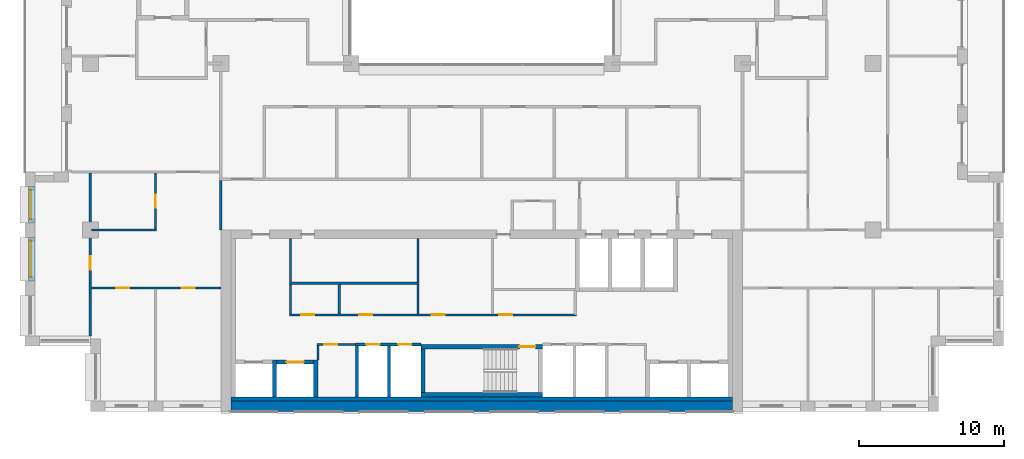
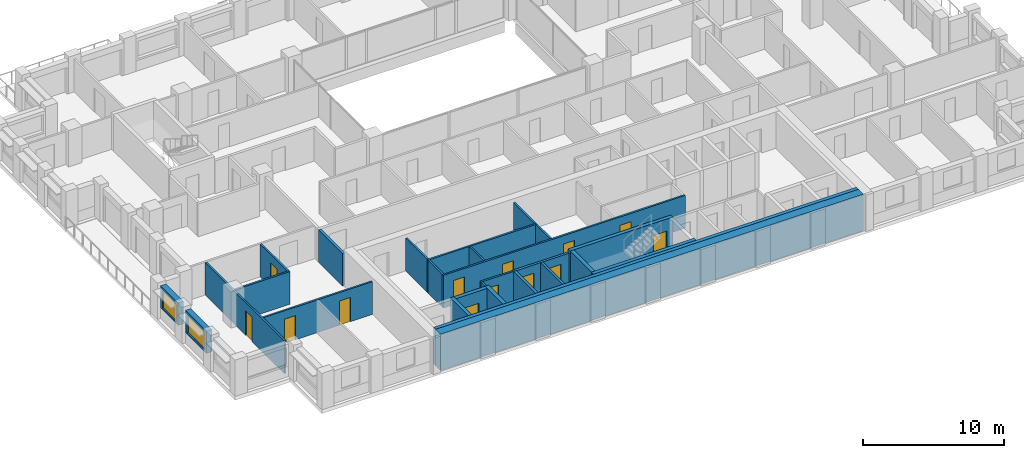
# One storey, part 8 of 15: 27 walls, 13 doors, 2 windows, 15 openings.
"""IFC4 building model written with IfcOpenShell, lengths in metres."""

from ifc_helpers import new_model, si_unit, direction, frame, frame_2d, origin, place, context, subcontext, project, spatial, rectangle, extrude, material, layer, layer_set, type_object, element, fill, save


model = new_model("IFC4")

# Units and contexts
model_context = context("Model", 3, precision=1e-05, world=origin(), true_north=direction((0.0, 1.0)))
body_context = subcontext(model_context, "Body", "Model", "MODEL_VIEW")
ifc_project = project(units=[si_unit("LENGTHUNIT", "METRE"), si_unit("AREAUNIT", "SQUARE_METRE"), si_unit("VOLUMEUNIT", "CUBIC_METRE"), si_unit("PLANEANGLEUNIT", "RADIAN"), si_unit("MASSUNIT", "GRAM", prefix="KILO")], contexts=[model_context])

# Site, building, storey
site_placement = place(None, origin())
site = spatial("IfcSite", under=ifc_project, at=site_placement, CompositionType="ELEMENT")
building_placement = place(site_placement, origin())
building = spatial("IfcBuilding", under=site, at=building_placement, Name="Brigalow Station Residences", CompositionType="ELEMENT")
storey_placement = place(building_placement, frame((0.0, 0.0, 153.89990234375)))
storey = spatial("IfcBuildingStorey", under=building, at=storey_placement, Name="L44", CompositionType="ELEMENT", Elevation=153.89990234375)

# Wall, opening, window
ifc_material_1 = material(Name="Clay brick masonry", Category="masonry")
ifc_layer_1 = layer(ifc_material_1, 0.449951171875)
ifc_layer_set_1 = layer_set([ifc_layer_1], Name="BRICK INFILL WALL 450")
wall_type_1 = type_object("IfcWallType", Name="BRICK INFILL WALL 450", PredefinedType="SOLIDWALL", material=ifc_layer_set_1)
wall_1_placement = place(storey_placement, frame((4.97509765625, 15.5, 0.900146484375), z_axis=(0.0, 0.0, 1.0), x_axis=(0.0, -1.0, 0.0)))
wall_1 = element("IfcWall", 1, at=wall_1_placement, inside=storey, type_object=wall_type_1, Name="L44/ewall/W-L44-45", PredefinedType="SOLIDWALL", context=body_context, shape_type="SweptSolid", body=[
    extrude(rectangle(XDim=2.5, YDim=0.449951171875, at=frame_2d((1.25, 0.0))), origin(), (0.0, 0.0, 1.0), 1.929931640625),
])
opening_1_placement = place(wall_1_placement, frame((0.25, 0.0, 0.14990234375)))
opening_1 = element("IfcOpeningElement", 2, at=opening_1_placement, cuts=wall_1, Name="Opening WT-7", PredefinedType="OPENING", context=body_context, shape_type="SweptSolid", body=[
    extrude(rectangle(XDim=2.0, YDim=1.5, at=frame_2d((1.0, 0.75))), frame((0.0, 0.23486328125, 0.0), z_axis=(0.0, -1.0, 0.0), x_axis=(1.0, 0.0, 0.0)), (0.0, 0.0, 1.0), 0.469970703125),
])
ifc_material_2 = material(Name="Anodised aluminium frame with double glazing", Category="aluminium")
window_type_1 = type_object("IfcWindowType", Name="WINDOW 2000x1500", PartitioningType="SINGLE_PANEL", PredefinedType="WINDOW", material=ifc_material_2)
window_1_placement = place(opening_1_placement, origin())
window_1 = element("IfcWindow", 3, at=window_1_placement, inside=storey, type_object=window_type_1, Name="L44/window/W-L44-45", OverallHeight=1.5, OverallWidth=2.0, PartitioningType="SINGLE_PANEL", PredefinedType="WINDOW", context=body_context, shape_type="SweptSolid", body=[
    extrude(rectangle(XDim=2.0, YDim=1.5, at=frame_2d((1.0, 0.75))), frame((0.0, -0.06494140625, 0.0), z_axis=(0.0, -1.0, 0.0), x_axis=(1.0, 0.0, 0.0)), (0.0, 0.0, 1.0), 0.06005859375),
])
fill(opening_1, window_1)

wall_2_placement = place(storey_placement, frame((4.97509765625, 12.0, 0.900146484375), z_axis=(0.0, 0.0, 1.0), x_axis=(0.0, -1.0, 0.0)))
wall_2 = element("IfcWall", 4, at=wall_2_placement, inside=storey, type_object=wall_type_1, Name="L44/ewall/W-L44-46", PredefinedType="SOLIDWALL", context=body_context, shape_type="SweptSolid", body=[
    extrude(rectangle(XDim=3.0, YDim=0.449951171875, at=frame_2d((1.5, 0.0))), origin(), (0.0, 0.0, 1.0), 1.929931640625),
])
opening_2_placement = place(wall_2_placement, frame((0.25, 0.0, 0.14990234375)))
opening_2 = element("IfcOpeningElement", 5, at=opening_2_placement, cuts=wall_2, Name="Opening WT-5", PredefinedType="OPENING", context=body_context, shape_type="SweptSolid", body=[
    extrude(rectangle(XDim=2.5, YDim=1.5, at=frame_2d((1.25, 0.75))), frame((0.0, 0.23486328125, 0.0), z_axis=(0.0, -1.0, 0.0), x_axis=(1.0, 0.0, 0.0)), (0.0, 0.0, 1.0), 0.469970703125),
])
ifc_material_3 = material(Name="Anodised aluminium frame with double glazing", Category="aluminium")
window_type_2 = type_object("IfcWindowType", Name="WINDOW 2500x1500", PartitioningType="SINGLE_PANEL", PredefinedType="WINDOW", material=ifc_material_3)
window_2_placement = place(opening_2_placement, origin())
window_2 = element("IfcWindow", 6, at=window_2_placement, inside=storey, type_object=window_type_2, Name="L44/window/W-L44-46", OverallHeight=1.5, OverallWidth=2.5, PartitioningType="SINGLE_PANEL", PredefinedType="WINDOW", context=body_context, shape_type="SweptSolid", body=[
    extrude(rectangle(XDim=2.5, YDim=1.5, at=frame_2d((1.25, 0.75))), frame((0.0, -0.06494140625, 0.0), z_axis=(0.0, -1.0, 0.0), x_axis=(1.0, 0.0, 0.0)), (0.0, 0.0, 1.0), 0.06005859375),
])
fill(opening_2, window_2)

# Wall
ifc_material_4 = material(Name="Concrete C65", Category="concrete")
ifc_layer_2 = layer(ifc_material_4, 0.300048828125)
ifc_layer_set_2 = layer_set([ifc_layer_2], Name="CORE SHEAR WALL 300 C65")
wall_type_2 = type_object("IfcWallType", Name="CORE SHEAR WALL 300 C65", PredefinedType="SHEAR", material=ifc_layer_set_2)
wall_3_placement = place(storey_placement, frame((18.699951171875, 0.85009765625, 0.0), z_axis=(0.0, 0.0, 1.0), x_axis=(1.0, 0.0, 0.0)))
element("IfcWall", 7, at=wall_3_placement, inside=storey, type_object=wall_type_2, Name="CORE WALL LIN-S L44", PredefinedType="SHEAR", context=body_context, shape_type="SweptSolid", body=[
    extrude(rectangle(XDim=34.60009765625, YDim=0.300048828125, at=frame_2d((17.300048828125, 0.0))), origin(), (0.0, 0.0, 1.0), 3.150146484375),
])

# Wall, opening, door
wall_4_placement = place(storey_placement, frame((21.85009765625, 3.39990234375, 0.0), z_axis=(0.0, 0.0, 1.0), x_axis=(1.0, 0.0, 0.0)))
wall_4 = element("IfcWall", 8, at=wall_4_placement, inside=storey, type_object=wall_type_2, Name="CORE WALL SH-C2-N L44", PredefinedType="SHEAR", context=body_context, shape_type="SweptSolid", body=[
    extrude(rectangle(XDim=2.5498046875, YDim=0.300048828125, at=frame_2d((1.27490234375, 0.0))), origin(), (0.0, 0.0, 1.0), 3.150146484375),
])
opening_3_placement = place(wall_4_placement, frame((0.675048828125, 0.0, 0.0)))
opening_3 = element("IfcOpeningElement", 9, at=opening_3_placement, cuts=wall_4, Name="Opening LD-LB2", PredefinedType="OPENING", context=body_context, shape_type="SweptSolid", body=[
    extrude(rectangle(XDim=1.199951171875, YDim=2.10009765625, at=frame_2d((0.60009765625, 1.050048828125))), frame((0.0, 0.16015625, 0.0), z_axis=(0.0, -1.0, 0.0), x_axis=(1.0, 0.0, 0.0)), (0.0, 0.0, 1.0), 0.320068359375),
])
ifc_material_5 = material(Name="Stainless steel sliding door leaves", Category="steel")
door_type_1 = type_object("IfcDoorType", Name="LIFT LANDING DOOR 1200 x 2100", OperationType="DOUBLE_DOOR_SLIDING", PredefinedType="DOOR", material=ifc_material_5)
door_1_placement = place(opening_3_placement, origin())
door_1 = element("IfcDoor", 10, at=door_1_placement, inside=storey, type_object=door_type_1, Name="LANDING DOOR LB2", OperationType="DOUBLE_DOOR_SLIDING", OverallHeight=2.10009765625, OverallWidth=1.199951171875, PredefinedType="DOOR", context=body_context, shape_type="SweptSolid", body=[
    extrude(rectangle(XDim=1.199951171875, YDim=2.10009765625, at=frame_2d((0.60009765625, 1.050048828125))), frame((0.0, 0.02490234375, 0.0), z_axis=(0.0, -1.0, 0.0), x_axis=(1.0, 0.0, 0.0)), (0.0, 0.0, 1.0), 0.050048828125),
])
fill(opening_3, door_1)

# Walls
for number, where, z_axis, x_axis, name in (
    (11, (21.699951171875, 1.0, 0.0), (0.0, 0.0, 1.0), (0.0, 1.0, 0.0), "CORE WALL SH-C2-W L44"),
    (12, (24.550048828125, 1.0, 0.0), (0.0, 0.0, 1.0), (0.0, 1.0, 0.0), "CORE WALL SH-C2-E L44"),
):
    element("IfcWall", number, at=place(storey_placement, frame(where, z_axis=z_axis, x_axis=x_axis)), inside=storey, type_object=wall_type_2, Name=name, PredefinedType="SHEAR", context=body_context, shape_type="SweptSolid", body=[
        extrude(rectangle(XDim=2.550048828125, YDim=0.300048828125, at=frame_2d((1.27490234375, 0.0))), origin(), (0.0, 0.0, 1.0), 3.150146484375),
    ])
wall_5_placement = place(storey_placement, frame((31.800048828125, 1.14990234375, 0.0), z_axis=(0.0, 0.0, 1.0), x_axis=(1.0, 0.0, 0.0)))
element("IfcWall", 13, at=wall_5_placement, inside=storey, type_object=wall_type_2, Name="CORE WALL ST-S2-S L44", PredefinedType="SHEAR", context=body_context, shape_type="SweptSolid", body=[
    extrude(rectangle(XDim=8.39990234375, YDim=0.300048828125, at=frame_2d((4.199951171875, 0.0))), origin(), (0.0, 0.0, 1.0), 3.150146484375),
])

# Wall, opening, door
wall_6_placement = place(storey_placement, frame((31.800048828125, 4.449951171875, 0.0), z_axis=(0.0, 0.0, 1.0), x_axis=(1.0, 0.0, 0.0)))
wall_6 = element("IfcWall", 14, at=wall_6_placement, inside=storey, type_object=wall_type_2, Name="CORE WALL ST-S2-N L44", PredefinedType="SHEAR", context=body_context, shape_type="SweptSolid", body=[
    extrude(rectangle(XDim=8.39990234375, YDim=0.300048828125, at=frame_2d((4.199951171875, 0.0))), origin(), (0.0, 0.0, 1.0), 3.150146484375),
])
opening_4_placement = place(wall_6_placement, frame((6.800048828125, 0.0, 0.0)))
opening_4 = element("IfcOpeningElement", 15, at=opening_4_placement, cuts=wall_6, Name="Opening D-5001", PredefinedType="OPENING", context=body_context, shape_type="SweptSolid", body=[
    extrude(rectangle(XDim=1.10009765625, YDim=2.10009765625, at=frame_2d((0.550048828125, 1.050048828125))), frame((0.0, 0.16015625, 0.0), z_axis=(0.0, -1.0, 0.0), x_axis=(1.0, 0.0, 0.0)), (0.0, 0.0, 1.0), 0.320068359375),
])
ifc_material_6 = material(Name="Steel fire door leaf in steel frame", Category="steel")
door_type_2 = type_object("IfcDoorType", Name="STAIR DOOR 1100 x 2100 FD60S", OperationType="SINGLE_SWING_LEFT", PredefinedType="DOOR", material=ifc_material_6)
door_2_placement = place(opening_4_placement, frame((1.10009765625, 0.0, 0.0), z_axis=(0.0, 0.0, 1.0), x_axis=(-1.0, 0.0, 0.0)))
door_2 = element("IfcDoor", 16, at=door_2_placement, inside=storey, type_object=door_type_2, Name="D-5001", OperationType="SINGLE_SWING_LEFT", OverallHeight=2.10009765625, OverallWidth=1.10009765625, PredefinedType="DOOR", context=body_context, shape_type="SweptSolid", body=[
    extrude(rectangle(XDim=1.10009765625, YDim=2.10009765625, at=frame_2d((0.550048828125, 1.050048828125))), frame((0.0, 0.02490234375, 0.0), z_axis=(0.0, -1.0, 0.0), x_axis=(1.0, 0.0, 0.0)), (0.0, 0.0, 1.0), 0.050048828125),
])
fill(opening_4, door_2)

# Walls
wall_7_placement = place(storey_placement, frame((31.949951171875, 1.300048828125, 0.0), z_axis=(0.0, 0.0, 1.0), x_axis=(0.0, 1.0, 0.0)))
element("IfcWall", 17, at=wall_7_placement, inside=storey, type_object=wall_type_2, Name="CORE WALL ST-S2-W L44", PredefinedType="SHEAR", context=body_context, shape_type="SweptSolid", body=[
    extrude(rectangle(XDim=3.0, YDim=0.300048828125, at=frame_2d((1.5, 0.0))), origin(), (0.0, 0.0, 1.0), 3.150146484375),
])
ifc_material_7 = material(Name="Concrete C65", Category="concrete")
ifc_layer_3 = layer(ifc_material_7, 0.699951171875)
ifc_layer_set_3 = layer_set([ifc_layer_3], Name="CORE SHEAR WALL 700 C65")
wall_type_3 = type_object("IfcWallType", Name="CORE SHEAR WALL 700 C65", PredefinedType="SHEAR", material=ifc_layer_set_3)
wall_8_placement = place(storey_placement, frame((18.699951171875, 0.35009765625, 0.0), z_axis=(0.0, 0.0, 1.0), x_axis=(1.0, 0.0, 0.0)))
element("IfcWall", 18, at=wall_8_placement, inside=storey, type_object=wall_type_3, Name="CORE WALL OUT-S L44", PredefinedType="SHEAR", context=body_context, shape_type="SweptSolid", body=[
    extrude(rectangle(XDim=34.60009765625, YDim=0.699951171875, at=frame_2d((17.300048828125, 0.0))), origin(), (0.0, 0.0, 1.0), 3.150146484375),
])

# Wall, openings, doors
ifc_material_8 = material(Name="Concrete blockwork", Category="masonry")
ifc_layer_4 = layer(ifc_material_8, 0.199951171875)
ifc_layer_set_4 = layer_set([ifc_layer_4], Name="FIRE RATED CORE PARTITION 200")
wall_type_4 = type_object("IfcWallType", Name="FIRE RATED CORE PARTITION 200", PredefinedType="PARTITIONING", material=ifc_layer_set_4)
wall_9_placement = place(storey_placement, frame((27.300048828125, 4.60009765625, 0.0), z_axis=(0.0, 0.0, 1.0), x_axis=(1.0, 0.0, 0.0)))
wall_9 = element("IfcWall", 19, at=wall_9_placement, inside=storey, type_object=wall_type_4, Name="PW-5017", PredefinedType="PARTITIONING", context=body_context, shape_type="SweptSolid", body=[
    extrude(rectangle(XDim=4.5, YDim=0.199951171875, at=frame_2d((2.25, 0.0))), origin(), (0.0, 0.0, 1.0), 2.830078125),
])
opening_5_placement = place(wall_9_placement, frame((0.75, 0.0, 0.0)))
opening_5 = element("IfcOpeningElement", 20, at=opening_5_placement, cuts=wall_9, Name="Opening D-5007", PredefinedType="OPENING", context=body_context, shape_type="SweptSolid", body=[
    extrude(rectangle(XDim=0.89990234375, YDim=2.10009765625, at=frame_2d((0.449951171875, 1.050048828125))), frame((0.0, 0.10986328125, 0.0), z_axis=(0.0, -1.0, 0.0), x_axis=(1.0, 0.0, 0.0)), (0.0, 0.0, 1.0), 0.219970703125),
])
opening_6_placement = place(wall_9_placement, frame((2.949951171875, 0.0, 0.0)))
opening_6 = element("IfcOpeningElement", 21, at=opening_6_placement, cuts=wall_9, Name="Opening D-5008", PredefinedType="OPENING", context=body_context, shape_type="SweptSolid", body=[
    extrude(rectangle(XDim=0.89990234375, YDim=2.10009765625, at=frame_2d((0.449951171875, 1.050048828125))), frame((0.0, 0.10986328125, 0.0), z_axis=(0.0, -1.0, 0.0), x_axis=(1.0, 0.0, 0.0)), (0.0, 0.0, 1.0), 0.219970703125),
])
ifc_material_9 = material(Name="Steel fire door leaf in steel frame", Category="steel")
door_type_3 = type_object("IfcDoorType", Name="RISER ACCESS DOOR 900 x 2100 FD120", OperationType="SINGLE_SWING_LEFT", PredefinedType="DOOR", material=ifc_material_9)
door_3_placement = place(opening_5_placement, frame((0.89990234375, 0.0, 0.0), z_axis=(0.0, 0.0, 1.0), x_axis=(-1.0, 0.0, 0.0)))
door_3 = element("IfcDoor", 22, at=door_3_placement, inside=storey, type_object=door_type_3, Name="D-5007", OperationType="SINGLE_SWING_RIGHT", OverallHeight=2.10009765625, OverallWidth=0.89990234375, PredefinedType="DOOR", context=body_context, shape_type="SweptSolid", body=[
    extrude(rectangle(XDim=0.89990234375, YDim=2.10009765625, at=frame_2d((0.449951171875, 1.050048828125))), frame((0.0, 0.02490234375, 0.0), z_axis=(0.0, -1.0, 0.0), x_axis=(1.0, 0.0, 0.0)), (0.0, 0.0, 1.0), 0.050048828125),
])
fill(opening_5, door_3)
door_4_placement = place(opening_6_placement, frame((0.89990234375, 0.0, 0.0), z_axis=(0.0, 0.0, 1.0), x_axis=(-1.0, 0.0, 0.0)))
door_4 = element("IfcDoor", 23, at=door_4_placement, inside=storey, type_object=door_type_3, Name="D-5008", OperationType="SINGLE_SWING_RIGHT", OverallHeight=2.10009765625, OverallWidth=0.89990234375, PredefinedType="DOOR", context=body_context, shape_type="SweptSolid", body=[
    extrude(rectangle(XDim=0.89990234375, YDim=2.10009765625, at=frame_2d((0.449951171875, 1.050048828125))), frame((0.0, 0.02490234375, 0.0), z_axis=(0.0, -1.0, 0.0), x_axis=(1.0, 0.0, 0.0)), (0.0, 0.0, 1.0), 0.050048828125),
])
fill(opening_6, door_4)

# Walls
wall_10_placement = place(storey_placement, frame((27.39990234375, 1.0, 0.0), z_axis=(0.0, 0.0, 1.0), x_axis=(0.0, 1.0, 0.0)))
element("IfcWall", 24, at=wall_10_placement, inside=storey, type_object=wall_type_4, Name="PW-5027", PredefinedType="PARTITIONING", context=body_context, shape_type="SweptSolid", body=[
    extrude(rectangle(XDim=3.52490234375, YDim=0.199951171875, at=frame_2d((1.762451171875, 0.0))), origin(), (0.0, 0.0, 1.0), 2.830078125),
])
wall_11_placement = place(storey_placement, frame((29.60009765625, 1.0, 0.0), z_axis=(0.0, 0.0, 1.0), x_axis=(0.0, 1.0, 0.0)))
element("IfcWall", 25, at=wall_11_placement, inside=storey, type_object=wall_type_4, Name="PW-5006", PredefinedType="PARTITIONING", context=body_context, shape_type="SweptSolid", body=[
    extrude(rectangle(XDim=3.5, YDim=0.199951171875, at=frame_2d((1.75, 0.0))), origin(), (0.0, 0.0, 1.0), 2.830078125),
])
wall_12_placement = place(storey_placement, frame((18.0, 12.5, 0.0), z_axis=(0.0, 0.0, 1.0), x_axis=(0.0, 1.0, 0.0)))
element("IfcWall", 26, at=wall_12_placement, inside=storey, type_object=wall_type_4, Name="PW-5013", PredefinedType="PARTITIONING", context=body_context, shape_type="SweptSolid", body=[
    extrude(rectangle(XDim=3.39990234375, YDim=0.199951171875, at=frame_2d((1.699951171875, 0.0))), origin(), (0.0, 0.0, 1.0), 2.830078125),
])

# Wall, openings, doors
ifc_material_10 = material(Name="Plasterboard on steel stud partition", Category="steel")
ifc_layer_5 = layer(ifc_material_10, 0.14990234375)
ifc_layer_set_5 = layer_set([ifc_layer_5], Name="FLAT PARTITION 150")
wall_type_5 = type_object("IfcWallType", Name="FLAT PARTITION 150", PredefinedType="PARTITIONING", material=ifc_layer_set_5)
wall_13_placement = place(storey_placement, frame((9.074951171875, 8.5, 0.0), z_axis=(0.0, 0.0, 1.0), x_axis=(1.0, 0.0, 0.0)))
wall_13 = element("IfcWall", 27, at=wall_13_placement, inside=storey, type_object=wall_type_5, Name="PW-3B21", PredefinedType="PARTITIONING", context=body_context, shape_type="SweptSolid", body=[
    extrude(rectangle(XDim=8.925048828125, YDim=0.14990234375, at=frame_2d((4.46240234375, 0.0))), origin(), (0.0, 0.0, 1.0), 2.830078125),
])
opening_7_placement = place(wall_13_placement, frame((1.72509765625, 0.0, 0.0)))
opening_7 = element("IfcOpeningElement", 28, at=opening_7_placement, cuts=wall_13, Name="Opening D-3B13", PredefinedType="OPENING", context=body_context, shape_type="SweptSolid", body=[
    extrude(rectangle(XDim=0.89990234375, YDim=2.10009765625, at=frame_2d((0.449951171875, 1.050048828125))), frame((0.0, 0.0849609375, 0.0), z_axis=(0.0, -1.0, 0.0), x_axis=(1.0, 0.0, 0.0)), (0.0, 0.0, 1.0), 0.169921875),
])
opening_8_placement = place(wall_13_placement, frame((6.22509765625, 0.0, 0.0)))
opening_8 = element("IfcOpeningElement", 29, at=opening_8_placement, cuts=wall_13, Name="Opening D-3B14", PredefinedType="OPENING", context=body_context, shape_type="SweptSolid", body=[
    extrude(rectangle(XDim=0.89990234375, YDim=2.10009765625, at=frame_2d((0.449951171875, 1.050048828125))), frame((0.0, 0.0849609375, 0.0), z_axis=(0.0, -1.0, 0.0), x_axis=(1.0, 0.0, 0.0)), (0.0, 0.0, 1.0), 0.169921875),
])
ifc_material_11 = material(Name="Solid-core timber door leaf", Category="wood")
door_type_4 = type_object("IfcDoorType", Name="INTERNAL DOOR 900 x 2100", OperationType="SINGLE_SWING_LEFT", PredefinedType="DOOR", material=ifc_material_11)
door_5_placement = place(opening_7_placement, frame((0.89990234375, 0.0, 0.0), z_axis=(0.0, 0.0, 1.0), x_axis=(-1.0, 0.0, 0.0)))
door_5 = element("IfcDoor", 30, at=door_5_placement, inside=storey, type_object=door_type_4, Name="D-3B13", OperationType="SINGLE_SWING_RIGHT", OverallHeight=2.10009765625, OverallWidth=0.89990234375, PredefinedType="DOOR", context=body_context, shape_type="SweptSolid", body=[
    extrude(rectangle(XDim=0.89990234375, YDim=2.10009765625, at=frame_2d((0.449951171875, 1.050048828125))), frame((0.0, 0.02490234375, 0.0), z_axis=(0.0, -1.0, 0.0), x_axis=(1.0, 0.0, 0.0)), (0.0, 0.0, 1.0), 0.050048828125),
])
fill(opening_7, door_5)
door_6_placement = place(opening_8_placement, frame((0.89990234375, 0.0, 0.0), z_axis=(0.0, 0.0, 1.0), x_axis=(-1.0, 0.0, 0.0)))
door_6 = element("IfcDoor", 31, at=door_6_placement, inside=storey, type_object=door_type_4, Name="D-3B14", OperationType="SINGLE_SWING_RIGHT", OverallHeight=2.10009765625, OverallWidth=0.89990234375, PredefinedType="DOOR", context=body_context, shape_type="SweptSolid", body=[
    extrude(rectangle(XDim=0.89990234375, YDim=2.10009765625, at=frame_2d((0.449951171875, 1.050048828125))), frame((0.0, 0.02490234375, 0.0), z_axis=(0.0, -1.0, 0.0), x_axis=(1.0, 0.0, 0.0)), (0.0, 0.0, 1.0), 0.050048828125),
])
fill(opening_8, door_6)

# Wall
wall_14_placement = place(storey_placement, frame((9.074951171875, 12.5, 0.0), z_axis=(0.0, 0.0, 1.0), x_axis=(1.0, 0.0, 0.0)))
element("IfcWall", 32, at=wall_14_placement, inside=storey, type_object=wall_type_5, Name="PW-3B23", PredefinedType="PARTITIONING", context=body_context, shape_type="SweptSolid", body=[
    extrude(rectangle(XDim=4.5, YDim=0.14990234375, at=frame_2d((2.25, 0.0))), origin(), (0.0, 0.0, 1.0), 2.830078125),
])

# Wall, opening, door
wall_15_placement = place(storey_placement, frame((13.5, 12.574951171875, 0.0), z_axis=(0.0, 0.0, 1.0), x_axis=(0.0, 1.0, 0.0)))
wall_15 = element("IfcWall", 33, at=wall_15_placement, inside=storey, type_object=wall_type_5, Name="PW-3B37", PredefinedType="PARTITIONING", context=body_context, shape_type="SweptSolid", body=[
    extrude(rectangle(XDim=3.85009765625, YDim=0.14990234375, at=frame_2d((1.925048828125, 0.0))), origin(), (0.0, 0.0, 1.0), 2.830078125),
])
opening_9_placement = place(wall_15_placement, frame((1.47509765625, 0.0, 0.0)))
opening_9 = element("IfcOpeningElement", 34, at=opening_9_placement, cuts=wall_15, Name="Opening D-3B16", PredefinedType="OPENING", context=body_context, shape_type="SweptSolid", body=[
    extrude(rectangle(XDim=0.89990234375, YDim=2.10009765625, at=frame_2d((0.449951171875, 1.050048828125))), frame((0.0, 0.0849609375, 0.0), z_axis=(0.0, -1.0, 0.0), x_axis=(1.0, 0.0, 0.0)), (0.0, 0.0, 1.0), 0.169921875),
])
door_7_placement = place(opening_9_placement, origin())
door_7 = element("IfcDoor", 35, at=door_7_placement, inside=storey, type_object=door_type_4, Name="D-3B16", OperationType="SINGLE_SWING_LEFT", OverallHeight=2.10009765625, OverallWidth=0.89990234375, PredefinedType="DOOR", context=body_context, shape_type="SweptSolid", body=[
    extrude(rectangle(XDim=0.89990234375, YDim=2.10009765625, at=frame_2d((0.449951171875, 1.050048828125))), frame((0.0, 0.02490234375, 0.0), z_axis=(0.0, -1.0, 0.0), x_axis=(1.0, 0.0, 0.0)), (0.0, 0.0, 1.0), 0.050048828125),
])
fill(opening_9, door_7)

wall_16_placement = place(storey_placement, frame((9.0, 5.199951171875, 0.0), z_axis=(0.0, 0.0, 1.0), x_axis=(0.0, 1.0, 0.0)))
wall_16 = element("IfcWall", 36, at=wall_16_placement, inside=storey, type_object=wall_type_5, Name="PW-3B39", PredefinedType="PARTITIONING", context=body_context, shape_type="SweptSolid", body=[
    extrude(rectangle(XDim=11.22509765625, YDim=0.14990234375, at=frame_2d((5.612548828125, 0.0))), origin(), (0.0, 0.0, 1.0), 2.830078125),
])
opening_10_placement = place(wall_16_placement, frame((4.574951171875, 0.0, 0.0)))
opening_10 = element("IfcOpeningElement", 37, at=opening_10_placement, cuts=wall_16, Name="Opening D-3B15", PredefinedType="OPENING", context=body_context, shape_type="SweptSolid", body=[
    extrude(rectangle(XDim=0.89990234375, YDim=2.10009765625, at=frame_2d((0.449951171875, 1.050048828125))), frame((0.0, 0.0849609375, 0.0), z_axis=(0.0, -1.0, 0.0), x_axis=(1.0, 0.0, 0.0)), (0.0, 0.0, 1.0), 0.169921875),
])
door_8_placement = place(opening_10_placement, origin())
door_8 = element("IfcDoor", 38, at=door_8_placement, inside=storey, type_object=door_type_4, Name="D-3B15", OperationType="SINGLE_SWING_LEFT", OverallHeight=2.10009765625, OverallWidth=0.89990234375, PredefinedType="DOOR", context=body_context, shape_type="SweptSolid", body=[
    extrude(rectangle(XDim=0.89990234375, YDim=2.10009765625, at=frame_2d((0.449951171875, 1.050048828125))), frame((0.0, 0.02490234375, 0.0), z_axis=(0.0, -1.0, 0.0), x_axis=(1.0, 0.0, 0.0)), (0.0, 0.0, 1.0), 0.050048828125),
])
fill(opening_10, door_8)

ifc_material_12 = material(Name="Plasterboard on steel studs", Category="steel")
ifc_layer_6 = layer(ifc_material_12, 0.14990234375)
ifc_layer_set_6 = layer_set([ifc_layer_6], Name="SERVICE ROOM PARTITION 150")
wall_type_6 = type_object("IfcWallType", Name="SERVICE ROOM PARTITION 150", PredefinedType="PARTITIONING", material=ifc_layer_set_6)
wall_17_placement = place(storey_placement, frame((24.625, 4.60009765625, 0.0), z_axis=(0.0, 0.0, 1.0), x_axis=(1.0, 0.0, 0.0)))
wall_17 = element("IfcWall", 39, at=wall_17_placement, inside=storey, type_object=wall_type_6, Name="PW-5155", PredefinedType="PARTITIONING", context=body_context, shape_type="SweptSolid", body=[
    extrude(rectangle(XDim=2.675048828125, YDim=0.14990234375, at=frame_2d((1.33740234375, 0.0))), origin(), (0.0, 0.0, 1.0), 2.830078125),
])
opening_11_placement = place(wall_17_placement, frame((0.52490234375, 0.0, 0.0)))
opening_11 = element("IfcOpeningElement", 40, at=opening_11_placement, cuts=wall_17, Name="Opening D-5087", PredefinedType="OPENING", context=body_context, shape_type="SweptSolid", body=[
    extrude(rectangle(XDim=0.89990234375, YDim=2.10009765625, at=frame_2d((0.449951171875, 1.050048828125))), frame((0.0, 0.0849609375, 0.0), z_axis=(0.0, -1.0, 0.0), x_axis=(1.0, 0.0, 0.0)), (0.0, 0.0, 1.0), 0.169921875),
])
ifc_material_13 = material(Name="Steel door leaf in steel frame", Category="steel")
door_type_5 = type_object("IfcDoorType", Name="SERVICE ROOM DOOR 900 x 2100 FD60", OperationType="SINGLE_SWING_LEFT", PredefinedType="DOOR", material=ifc_material_13)
door_9_placement = place(opening_11_placement, frame((0.89990234375, 0.0, 0.0), z_axis=(0.0, 0.0, 1.0), x_axis=(-1.0, 0.0, 0.0)))
door_9 = element("IfcDoor", 41, at=door_9_placement, inside=storey, type_object=door_type_5, Name="D-5087", OperationType="SINGLE_SWING_RIGHT", OverallHeight=2.10009765625, OverallWidth=0.89990234375, PredefinedType="DOOR", context=body_context, shape_type="SweptSolid", body=[
    extrude(rectangle(XDim=0.89990234375, YDim=2.10009765625, at=frame_2d((0.449951171875, 1.050048828125))), frame((0.0, 0.02490234375, 0.0), z_axis=(0.0, -1.0, 0.0), x_axis=(1.0, 0.0, 0.0)), (0.0, 0.0, 1.0), 0.050048828125),
])
fill(opening_11, door_9)

# Wall, openings, doors
wall_18_placement = place(storey_placement, frame((22.72509765625, 6.64990234375, 0.0), z_axis=(0.0, 0.0, 1.0), x_axis=(1.0, 0.0, 0.0)))
wall_18 = element("IfcWall", 42, at=wall_18_placement, inside=storey, type_object=wall_type_6, Name="PW-5195", PredefinedType="PARTITIONING", context=body_context, shape_type="SweptSolid", body=[
    extrude(rectangle(XDim=19.7998046875, YDim=0.14990234375, at=frame_2d((9.89990234375, 0.0))), origin(), (0.0, 0.0, 1.0), 2.830078125),
])
opening_12_placement = place(wall_18_placement, frame((0.824951171875, 0.0, 0.0)))
opening_12 = element("IfcOpeningElement", 43, at=opening_12_placement, cuts=wall_18, Name="Opening D-5110", PredefinedType="OPENING", context=body_context, shape_type="SweptSolid", body=[
    extrude(rectangle(XDim=0.89990234375, YDim=2.10009765625, at=frame_2d((0.449951171875, 1.050048828125))), frame((0.0, 0.0849609375, 0.0), z_axis=(0.0, -1.0, 0.0), x_axis=(1.0, 0.0, 0.0)), (0.0, 0.0, 1.0), 0.169921875),
])
opening_13_placement = place(wall_18_placement, frame((4.824951171875, 0.0, 0.0)))
opening_13 = element("IfcOpeningElement", 44, at=opening_13_placement, cuts=wall_18, Name="Opening D-5116", PredefinedType="OPENING", context=body_context, shape_type="SweptSolid", body=[
    extrude(rectangle(XDim=0.89990234375, YDim=2.10009765625, at=frame_2d((0.449951171875, 1.050048828125))), frame((0.0, 0.0849609375, 0.0), z_axis=(0.0, -1.0, 0.0), x_axis=(1.0, 0.0, 0.0)), (0.0, 0.0, 1.0), 0.169921875),
])
opening_14_placement = place(wall_18_placement, frame((9.824951171875, 0.0, 0.0)))
opening_14 = element("IfcOpeningElement", 45, at=opening_14_placement, cuts=wall_18, Name="Opening D-5117", PredefinedType="OPENING", context=body_context, shape_type="SweptSolid", body=[
    extrude(rectangle(XDim=0.89990234375, YDim=2.10009765625, at=frame_2d((0.449951171875, 1.050048828125))), frame((0.0, 0.0849609375, 0.0), z_axis=(0.0, -1.0, 0.0), x_axis=(1.0, 0.0, 0.0)), (0.0, 0.0, 1.0), 0.169921875),
])
opening_15_placement = place(wall_18_placement, frame((14.47509765625, 0.0, 0.0)))
opening_15 = element("IfcOpeningElement", 46, at=opening_15_placement, cuts=wall_18, Name="Opening D-5114", PredefinedType="OPENING", context=body_context, shape_type="SweptSolid", body=[
    extrude(rectangle(XDim=0.89990234375, YDim=2.10009765625, at=frame_2d((0.449951171875, 1.050048828125))), frame((0.0, 0.0849609375, 0.0), z_axis=(0.0, -1.0, 0.0), x_axis=(1.0, 0.0, 0.0)), (0.0, 0.0, 1.0), 0.169921875),
])
door_10_placement = place(opening_12_placement, origin())
door_10 = element("IfcDoor", 47, at=door_10_placement, inside=storey, type_object=door_type_5, Name="D-5110", OperationType="SINGLE_SWING_LEFT", OverallHeight=2.10009765625, OverallWidth=0.89990234375, PredefinedType="DOOR", context=body_context, shape_type="SweptSolid", body=[
    extrude(rectangle(XDim=0.89990234375, YDim=2.10009765625, at=frame_2d((0.449951171875, 1.050048828125))), frame((0.0, 0.02490234375, 0.0), z_axis=(0.0, -1.0, 0.0), x_axis=(1.0, 0.0, 0.0)), (0.0, 0.0, 1.0), 0.050048828125),
])
fill(opening_12, door_10)
door_11_placement = place(opening_13_placement, origin())
door_11 = element("IfcDoor", 48, at=door_11_placement, inside=storey, type_object=door_type_5, Name="D-5116", OperationType="SINGLE_SWING_LEFT", OverallHeight=2.10009765625, OverallWidth=0.89990234375, PredefinedType="DOOR", context=body_context, shape_type="SweptSolid", body=[
    extrude(rectangle(XDim=0.89990234375, YDim=2.10009765625, at=frame_2d((0.449951171875, 1.050048828125))), frame((0.0, 0.02490234375, 0.0), z_axis=(0.0, -1.0, 0.0), x_axis=(1.0, 0.0, 0.0)), (0.0, 0.0, 1.0), 0.050048828125),
])
fill(opening_13, door_11)
door_12_placement = place(opening_14_placement, origin())
door_12 = element("IfcDoor", 49, at=door_12_placement, inside=storey, type_object=door_type_5, Name="D-5117", OperationType="SINGLE_SWING_LEFT", OverallHeight=2.10009765625, OverallWidth=0.89990234375, PredefinedType="DOOR", context=body_context, shape_type="SweptSolid", body=[
    extrude(rectangle(XDim=0.89990234375, YDim=2.10009765625, at=frame_2d((0.449951171875, 1.050048828125))), frame((0.0, 0.02490234375, 0.0), z_axis=(0.0, -1.0, 0.0), x_axis=(1.0, 0.0, 0.0)), (0.0, 0.0, 1.0), 0.050048828125),
])
fill(opening_14, door_12)
door_13_placement = place(opening_15_placement, origin())
door_13 = element("IfcDoor", 50, at=door_13_placement, inside=storey, type_object=door_type_5, Name="D-5114", OperationType="SINGLE_SWING_LEFT", OverallHeight=2.10009765625, OverallWidth=0.89990234375, PredefinedType="DOOR", context=body_context, shape_type="SweptSolid", body=[
    extrude(rectangle(XDim=0.89990234375, YDim=2.10009765625, at=frame_2d((0.449951171875, 1.050048828125))), frame((0.0, 0.02490234375, 0.0), z_axis=(0.0, -1.0, 0.0), x_axis=(1.0, 0.0, 0.0)), (0.0, 0.0, 1.0), 0.050048828125),
])
fill(opening_15, door_13)

# Walls
wall_19_placement = place(storey_placement, frame((22.72509765625, 8.830078125, 0.0), z_axis=(0.0, 0.0, 1.0), x_axis=(1.0, 0.0, 0.0)))
element("IfcWall", 51, at=wall_19_placement, inside=storey, type_object=wall_type_6, Name="PW-5205", PredefinedType="PARTITIONING", context=body_context, shape_type="SweptSolid", body=[
    extrude(rectangle(XDim=8.9599609375, YDim=0.14990234375, at=frame_2d((4.47998046875, 0.0))), origin(), (0.0, 0.0, 1.0), 2.830078125),
])
wall_20_placement = place(storey_placement, frame((24.699951171875, 3.550048828125, 0.0), z_axis=(0.0, 0.0, 1.0), x_axis=(0.0, 1.0, 0.0)))
element("IfcWall", 52, at=wall_20_placement, inside=storey, type_object=wall_type_6, Name="PW-5157", PredefinedType="PARTITIONING", context=body_context, shape_type="SweptSolid", body=[
    extrude(rectangle(XDim=0.974853515625, YDim=0.14990234375, at=frame_2d((0.4873046875, 0.0))), origin(), (0.0, 0.0, 1.0), 2.830078125),
])
for number, where, z_axis, x_axis, name in (
    (53, (22.800048828125, 6.72509765625, 0.0), (0.0, 0.0, 1.0), (0.0, 1.0, 0.0), "PW-5207"),
    (54, (26.169921875, 6.72509765625, 0.0), (0.0, 0.0, 1.0), (0.0, 1.0, 0.0), "PW-5208"),
    (55, (31.610107421875, 6.72509765625, 0.0), (0.0, 0.0, 1.0), (0.0, 1.0, 0.0), "PW-5209"),
):
    element("IfcWall", number, at=place(storey_placement, frame(where, z_axis=z_axis, x_axis=x_axis)), inside=storey, type_object=wall_type_6, Name=name, PredefinedType="PARTITIONING", context=body_context, shape_type="SweptSolid", body=[
        extrude(rectangle(XDim=2.02978515625, YDim=0.14990234375, at=frame_2d((1.014892578125, 0.0))), origin(), (0.0, 0.0, 1.0), 2.830078125),
    ])
for number, where, z_axis, x_axis, name in (
    (56, (22.800048828125, 8.905029296875, 0.0), (0.0, 0.0, 1.0), (0.0, 1.0, 0.0), "PW-5212"),
    (57, (31.610107421875, 8.905029296875, 0.0), (0.0, 0.0, 1.0), (0.0, 1.0, 0.0), "PW-5213"),
):
    element("IfcWall", number, at=place(storey_placement, frame(where, z_axis=z_axis, x_axis=x_axis)), inside=storey, type_object=wall_type_6, Name=name, PredefinedType="PARTITIONING", context=body_context, shape_type="SweptSolid", body=[
        extrude(rectangle(XDim=2.994873046875, YDim=0.14990234375, at=frame_2d((1.49755859375, 0.0))), origin(), (0.0, 0.0, 1.0), 2.830078125),
    ])

save(model, "model.ifc")
